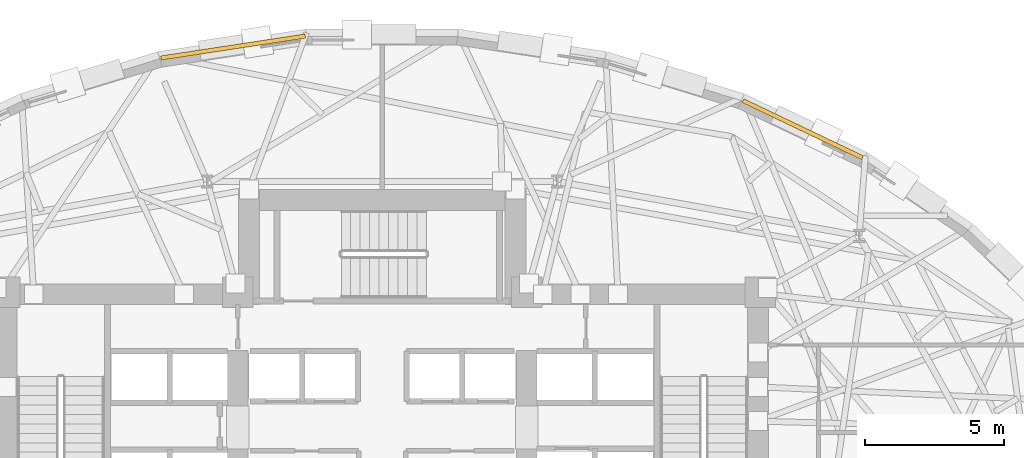
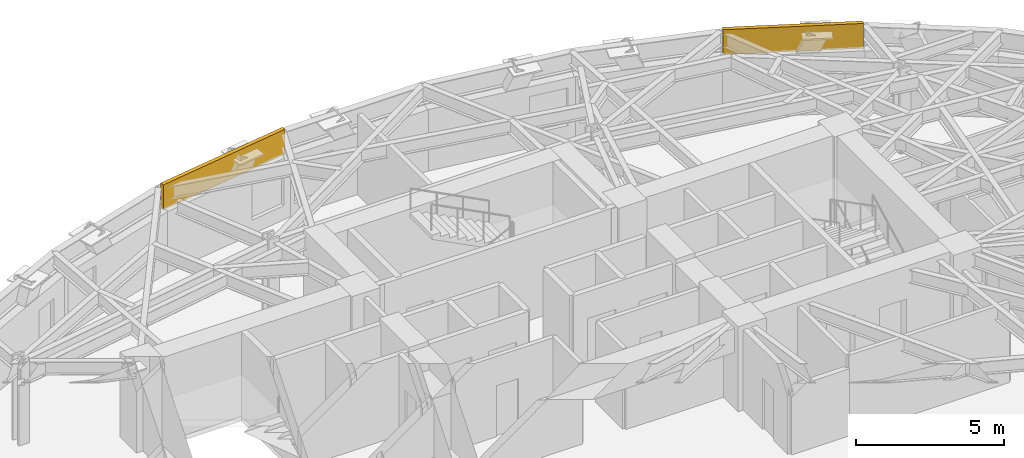
# One storey, part 14 of 14: 2 coverings.
"""IFC4 building model written with IfcOpenShell, lengths in metres."""

from ifc_helpers import new_model, si_unit, direction, frame, origin, origin_2d, place, context, subcontext, project, spatial, rectangle, extrude, material, layer, layer_set, type_object, element, save


model = new_model("IFC4")

# Units and contexts
model_context = context("Model", 3, precision=1e-05, world=origin(), true_north=direction((0.0, 1.0)))
body_context = subcontext(model_context, "Body", "Model", "MODEL_VIEW")
ifc_project = project(units=[si_unit("LENGTHUNIT", "METRE"), si_unit("AREAUNIT", "SQUARE_METRE"), si_unit("VOLUMEUNIT", "CUBIC_METRE"), si_unit("PLANEANGLEUNIT", "RADIAN"), si_unit("MASSUNIT", "GRAM", prefix="KILO")], contexts=[model_context])

# Site, building, storey
site_placement = place(None, origin())
site = spatial("IfcSite", under=ifc_project, at=site_placement, CompositionType="ELEMENT")
building_placement = place(site_placement, origin())
building = spatial("IfcBuilding", under=site, at=building_placement, Name="Keldmark Tower", CompositionType="ELEMENT")
storey_placement = place(building_placement, frame((0.0, 0.0, 107.10009765625)))
storey = spatial("IfcBuildingStorey", under=building, at=storey_placement, Name="L28", CompositionType="ELEMENT", Elevation=107.10009765625)

# Coverings
ifc_material = material(Name="Honed Kasota Buff Dolomitic Limestone", Category="masonry")
ifc_layer = layer(ifc_material, 0.074951171875)
ifc_layer_set = layer_set([ifc_layer], Name="Honed Kasota Buff Dolomitic Limestone")
covering_type = type_object("IfcCoveringType", Name="Kasota Buff Limestone Spandrel Cladding Band", PredefinedType="CLADDING", material=ifc_layer_set)
covering_1_placement = place(storey_placement, frame((15.139892578125, 15.31689453125, 2.45166015625), z_axis=(0.0, 0.0, 1.0), x_axis=(-0.902367267498, 0.430967881109, 0.0)))
element("IfcCovering", 1, at=covering_1_placement, inside=storey, type_object=covering_type, Name="L28 Kasota Limestone Spandrel Band 05", PredefinedType="CLADDING", context=body_context, shape_type="SweptSolid", body=[
    extrude(rectangle(XDim=4.76171875, YDim=0.14990234375, at=origin_2d()), origin(), (0.0, 0.0, 1.0), 1.028076171875),
])
covering_2_placement = place(storey_placement, frame((-5.37109375, 18.275146484375, 2.45166015625), z_axis=(0.0, 0.0, 1.0), x_axis=(-0.988622885275, -0.15041539386, 0.0)))
element("IfcCovering", 2, at=covering_2_placement, inside=storey, type_object=covering_type, Name="L28 Kasota Limestone Spandrel Band 09", PredefinedType="CLADDING", context=body_context, shape_type="SweptSolid", body=[
    extrude(rectangle(XDim=5.257080078125, YDim=0.14990234375, at=origin_2d()), origin(), (0.0, 0.0, 1.0), 1.028076171875),
])

save(model, "model.ifc")
